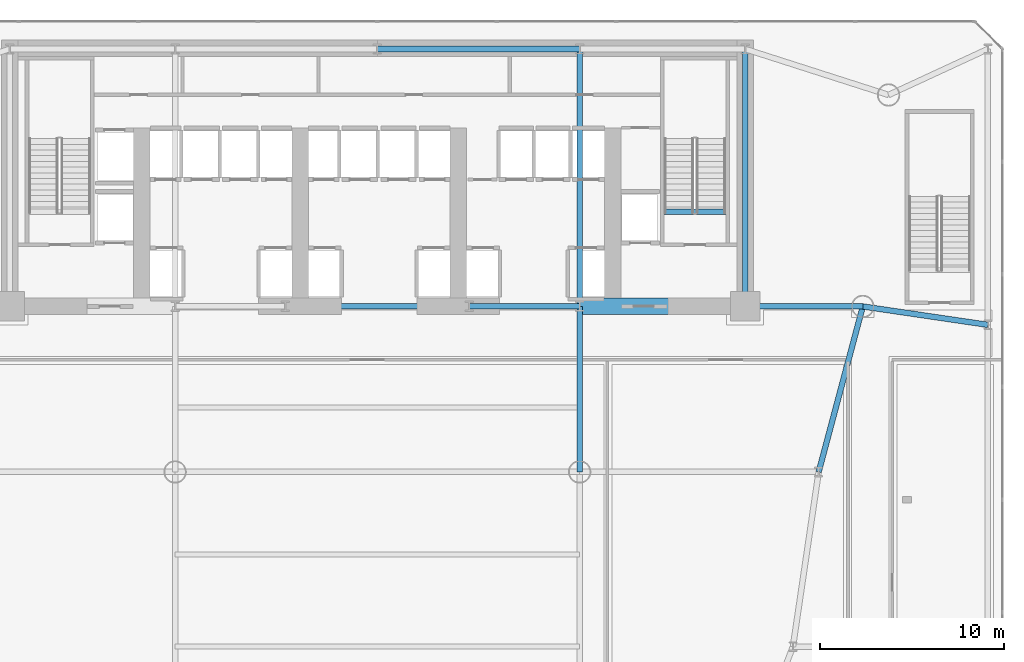
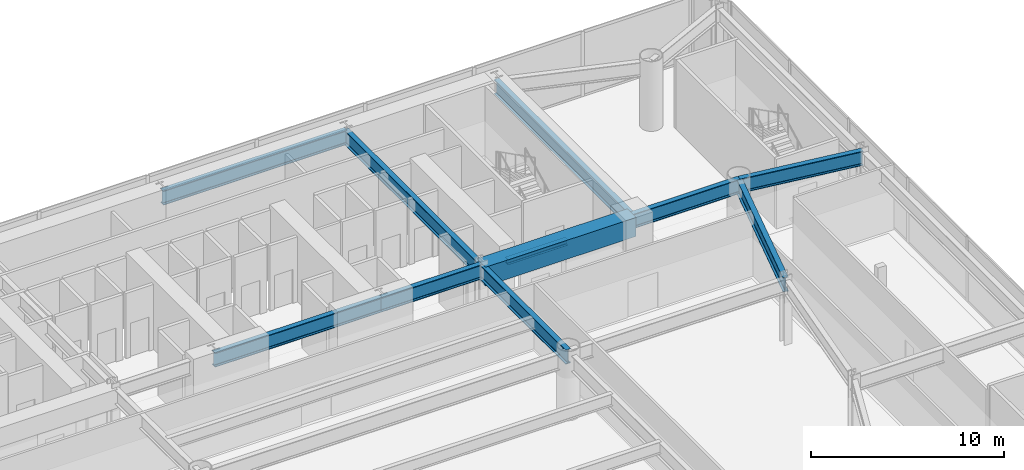
# One storey, part 8 of 24: 11 beams.
"""IFC4 building model written with IfcOpenShell, lengths in metres."""

import ifcopenshell
import ifcopenshell.guid

model = None  # the IFC model being written
_history = None  # IfcOwnerHistory: only IFC2X3 demands one
_inside = {}  # id of a spatial element -> (the spatial element, [elements in it])
_under = {}  # id of a project, library or spatial element -> (it, [spatial elements below it])
_declared = {}  # id of a project -> (the project, [libraries it declares])
_typed = {}  # id of a type object -> (the type object, [elements of that type])
_made_of = {}  # id of a material, layer set ... -> (it, [elements and type objects made of it])


def new_model(schema):
    """Start an empty IFC model of exactly this schema.

    Asked for "IFC4X3", IfcOpenShell would pick the latest addendum, in which some entities
    have other attributes; the version numbers below select the first issue.
    IFC2X3 requires an IfcOwnerHistory on every rooted entity: one is made here for all.
    """
    global model, _history
    if schema == "IFC4X3":
        model = ifcopenshell.file(schema_version=(4, 3, 0, 0))
    else:
        model = ifcopenshell.file(schema=schema)
    _inside.clear()
    _under.clear()
    _declared.clear()
    _typed.clear()
    _made_of.clear()
    _history = None
    if model.schema == "IFC2X3":
        org = make("IfcOrganization", Name="unknown")
        user = make(
            "IfcPersonAndOrganization",
            ThePerson=make("IfcPerson", FamilyName="unknown"),
            TheOrganization=org,
        )
        app = make(
            "IfcApplication",
            ApplicationDeveloper=org,
            Version="unknown",
            ApplicationFullName="unknown",
            ApplicationIdentifier="unknown",
        )
        _history = make(
            "IfcOwnerHistory",
            OwningUser=user,
            OwningApplication=app,
            ChangeAction="ADDED",
            CreationDate=0,
        )
    return model


def make(cls, **values):
    """One entity of the class cls with the attributes given. An attribute that is None is left unset."""
    return model.create_entity(
        cls, **{name: value for name, value in values.items() if value is not None}
    )


def rooted(cls, **values):
    """An entity with a GlobalId (a new one), such as an element, a storey or a relation."""
    return make(cls, GlobalId=ifcopenshell.guid.new(), OwnerHistory=_history, **values)


def si_unit(unit_type, name, prefix=None):
    """IfcSIUnit, for example si_unit("LENGTHUNIT", "METRE", prefix="MILLI")."""
    return make("IfcSIUnit", UnitType=unit_type, Prefix=prefix, Name=name)


def assignment(units):
    """IfcUnitAssignment: the units of a project."""
    return None if units is None else make("IfcUnitAssignment", Units=units)


def point(xyz):
    """IfcCartesianPoint."""
    return None if xyz is None else make("IfcCartesianPoint", Coordinates=xyz)


def direction(xyz):
    """IfcDirection."""
    return None if xyz is None else make("IfcDirection", DirectionRatios=xyz)


def frame(location, z_axis=None, x_axis=None):
    """IfcAxis2Placement3D, a coordinate frame: its origin and axes. An axis left out is left unset."""
    return make(
        "IfcAxis2Placement3D",
        Location=point(location),
        Axis=direction(z_axis),
        RefDirection=direction(x_axis),
    )


def frame_2d(location, x_axis=None):
    """IfcAxis2Placement2D, a coordinate frame in the plane: its origin and x axis."""
    return make(
        "IfcAxis2Placement2D", Location=point(location), RefDirection=direction(x_axis)
    )


def origin():
    """The frame at (0, 0, 0) with its axes left unset."""
    return frame((0.0, 0.0, 0.0))


def origin_2d():
    """The frame at (0, 0) in the plane with its x axis left unset."""
    return frame_2d((0.0, 0.0))


def place(relative_to, where):
    """IfcLocalPlacement: puts the frame where relative to a parent placement (None: the world)."""
    return make(
        "IfcLocalPlacement", PlacementRelTo=relative_to, RelativePlacement=where
    )


def context(
    kind, dimensions, precision=None, world=None, true_north=None, identifier=None
):
    """IfcGeometricRepresentationContext, for example the 3D "Model" context."""
    return make(
        "IfcGeometricRepresentationContext",
        ContextIdentifier=identifier,
        ContextType=kind,
        CoordinateSpaceDimension=dimensions,
        Precision=precision,
        WorldCoordinateSystem=world,
        TrueNorth=true_north,
    )


def subcontext(parent, identifier, kind, view, scale=None):
    """IfcGeometricRepresentationSubContext, for example "Body" below "Model"."""
    return make(
        "IfcGeometricRepresentationSubContext",
        ContextIdentifier=identifier,
        ContextType=kind,
        ParentContext=parent,
        TargetScale=scale,
        TargetView=view,
    )


def project(units=None, contexts=None):
    """IfcProject with its units and contexts."""
    return rooted(
        "IfcProject",
        Name="project",
        RepresentationContexts=contexts,
        UnitsInContext=assignment(units),
    )


def spatial(cls, under=None, at=None, **own):
    """A site, building, storey or space (cls), placed at a placement, below another one or the project."""
    s = rooted(cls, ObjectPlacement=at, **own)
    if under is not None:
        _under.setdefault(under.id(), (under, []))[1].append(s)
    return s


def profile(cls, at=None, kind="AREA", **sizes):
    """A parametric profile (cls). Its sizes go by their IFC names, for example OverallWidth=200.0."""
    return make(cls, ProfileType=kind, Position=at, **sizes)


def rectangle(**sizes):
    """IfcRectangleProfileDef."""
    return profile("IfcRectangleProfileDef", **sizes)


def i_section(**sizes):
    """IfcIShapeProfileDef."""
    return profile("IfcIShapeProfileDef", **sizes)


def extrude(swept, where, along, depth):
    """IfcExtrudedAreaSolid: the profile swept, set in the frame where, extruded along a direction by depth."""
    return make(
        "IfcExtrudedAreaSolid",
        SweptArea=swept,
        Position=where,
        ExtrudedDirection=direction(along),
        Depth=depth,
    )


def shape(context_of_items, identifier, shape_type, items):
    """IfcShapeRepresentation: the items that make up one representation, for example the "Body"."""
    return make(
        "IfcShapeRepresentation",
        ContextOfItems=context_of_items,
        RepresentationIdentifier=identifier,
        RepresentationType=shape_type,
        Items=items,
    )


def source(mapping_origin, context_of_items, identifier, shape_type, items):
    """IfcRepresentationMap: a shape defined once, which mapped items show again and again."""
    return make(
        "IfcRepresentationMap",
        MappingOrigin=mapping_origin,
        MappedRepresentation=shape(context_of_items, identifier, shape_type, items),
    )


def transform(
    local_origin,
    x_axis=None,
    y_axis=None,
    z_axis=None,
    scale=None,
    scale2=None,
    scale3=None,
    uniform=True,
):
    """IfcCartesianTransformationOperator3D, or its non-uniform kind. x_axis, y_axis, z_axis: its Axis1, 2, 3."""
    if uniform:
        return make(
            "IfcCartesianTransformationOperator3D",
            Axis1=direction(x_axis),
            Axis2=direction(y_axis),
            LocalOrigin=point(local_origin),
            Scale=scale,
            Axis3=direction(z_axis),
        )
    return make(
        "IfcCartesianTransformationOperator3DnonUniform",
        Axis1=direction(x_axis),
        Axis2=direction(y_axis),
        LocalOrigin=point(local_origin),
        Scale=scale,
        Axis3=direction(z_axis),
        Scale2=scale2,
        Scale3=scale3,
    )


def mapped(mapping_source, mapping_target):
    """IfcMappedItem: shows the shape of a source again, moved by a transform."""
    return make(
        "IfcMappedItem", MappingSource=mapping_source, MappingTarget=mapping_target
    )


def material(Name=None, Category=None):
    """IfcMaterial."""
    return make("IfcMaterial", Name=Name, Category=Category)


def material_profile(
    of_material, cross_section, Name=None, Category=None, Priority=None
):
    """IfcMaterialProfile: a cross section and its material."""
    return make(
        "IfcMaterialProfile",
        Name=Name,
        Material=of_material,
        Profile=cross_section,
        Priority=Priority,
        Category=Category,
    )


def profile_set(profiles, Name=None, composite=None):
    """IfcMaterialProfileSet."""
    return make(
        "IfcMaterialProfileSet",
        Name=Name,
        MaterialProfiles=profiles,
        CompositeProfile=composite,
    )


def made_of(thing, what):
    """Note that an element or type object is made of a material, layer set ...; save() writes the relation."""
    if what is not None:
        _made_of.setdefault(what.id(), (what, []))[1].append(thing)
    return thing


def type_object(cls, material=None, **own):
    """A type object (cls), such as IfcWallType, which elements share."""
    return made_of(rooted(cls, **own), material)


def element(
    cls,
    number,
    at=None,
    inside=None,
    cuts=None,
    type_object=None,
    material=None,
    context=None,
    identifier="Body",
    shape_type=None,
    held_by="IfcProductDefinitionShape",
    body=None,
    shapes=None,
    **own,
):
    """One element of the class cls, such as IfcWall. Its Tag is "e" and its number.

    at: its placement. inside: the storey or other place that contains it. cuts: it is an
    opening in that element (IfcRelVoidsElement). A single representation is given by context,
    identifier, shape_type and body (its items); several are given by shapes. held_by: the class
    of the entity that holds the representations. save() writes the other relations.
    """
    e = rooted(cls, Tag="e%d" % number, ObjectPlacement=at, **own)
    if body is not None:
        shapes = [shape(context, identifier, shape_type, body)]
    if shapes is not None:
        e.Representation = make(held_by, Representations=shapes)
    if inside is not None:
        _inside.setdefault(inside.id(), (inside, []))[1].append(e)
    if cuts is not None:
        rooted(
            "IfcRelVoidsElement", RelatingBuildingElement=cuts, RelatedOpeningElement=e
        )
    if type_object is not None:
        _typed.setdefault(type_object.id(), (type_object, []))[1].append(e)
    return made_of(e, material)


def aggregate(whole, parts):
    """IfcRelAggregates: a whole, such as a stair, and the parts it consists of."""
    return rooted("IfcRelAggregates", RelatingObject=whole, RelatedObjects=parts)


def save(model, path):
    """Write the relations noted so far, then the file.

    IfcRelAggregates (storeys below a building ...), IfcRelContainedInSpatialStructure (elements
    in a storey), IfcRelDefinesByType, IfcRelAssociatesMaterial and IfcRelDeclares: one each for
    every whole, place, type object, material and project.
    """
    for whole, parts in _under.values():
        aggregate(whole, parts)
    for where, things in _inside.values():
        rooted(
            "IfcRelContainedInSpatialStructure",
            RelatedElements=things,
            RelatingStructure=where,
        )
    for kind, things in _typed.values():
        rooted("IfcRelDefinesByType", RelatedObjects=things, RelatingType=kind)
    for what, things in _made_of.values():
        rooted("IfcRelAssociatesMaterial", RelatedObjects=things, RelatingMaterial=what)
    for by, libraries in _declared.values():
        rooted("IfcRelDeclares", RelatingContext=by, RelatedDefinitions=libraries)
    model.write(path)


model = new_model("IFC4")

# Units and contexts
model_context = context("Model", 3, precision=1e-05, world=origin(), true_north=direction((0.0, 1.0)))
body_context = subcontext(model_context, "Body", "Model", "MODEL_VIEW")
ifc_project = project(units=[si_unit("LENGTHUNIT", "METRE"), si_unit("AREAUNIT", "SQUARE_METRE"), si_unit("VOLUMEUNIT", "CUBIC_METRE"), si_unit("PLANEANGLEUNIT", "RADIAN"), si_unit("MASSUNIT", "GRAM", prefix="KILO")], contexts=[model_context])

# Site, building, storey
site_placement = place(None, origin())
site = spatial("IfcSite", under=ifc_project, at=site_placement, CompositionType="ELEMENT")
building_placement = place(site_placement, origin())
building = spatial("IfcBuilding", under=site, at=building_placement, Name="Vaeldorn Concourse Tower", CompositionType="ELEMENT")
storey_placement = place(building_placement, frame((0.0, 0.0, 5.60009765625)))
storey = spatial("IfcBuildingStorey", under=building, at=storey_placement, Name="L01", CompositionType="ELEMENT", Elevation=5.60009765625)

# Beams
ifc_material_1 = material(Name="Concrete C60/75", Category="concrete")
ifc_material_profile_1 = material_profile(ifc_material_1, rectangle(XDim=0.89990234375, YDim=1.199951171875, at=origin_2d()), Name="RC 900x1200")
ifc_profile_set_1 = profile_set([ifc_material_profile_1], Name="Concrete C60/75")
beam_type_1 = type_object("IfcBeamType", Name="BM-CB-RC900", PredefinedType="BEAM", material=ifc_profile_set_1)
shared_shape_1 = source(origin(), body_context, "Body", "SweptSolid", [
    extrude(rectangle(XDim=0.89990234375, YDim=1.199951171875, at=origin_2d()), origin(), (0.0, 0.0, 1.0), 9.0),
])
beam_1_placement = place(storey_placement, frame((45.0, 36.5, 3.52001953125), z_axis=(1.0, 0.0, 0.0), x_axis=(0.0, 1.0, 0.0)))
element("IfcBeam", 1, at=beam_1_placement, inside=storey, type_object=beam_type_1, Name="Core Coupling Beam L01-2", PredefinedType="BEAM", context=body_context, shape_type="MappedRepresentation", body=[
    mapped(shared_shape_1, transform((0.0, 0.0, 0.0), scale=1.0)),
])
ifc_material_2 = material(Name="Steel S355", Category="steel")
ifc_material_profile_2 = material_profile(ifc_material_2, i_section(OverallWidth=0.300048828125, OverallDepth=0.340087890625, WebThickness=0.011962890625, FlangeThickness=0.021484375, FilletRadius=0.027099609375, at=origin_2d()), Name="HEB 340")
ifc_profile_set_2 = profile_set([ifc_material_profile_2], Name="Steel S355")
beam_type_2 = type_object("IfcBeamType", Name="BM-ST-TRIM", PredefinedType="BEAM", material=ifc_profile_set_2)
shared_shape_2 = source(origin(), body_context, "Body", "SweptSolid", [
    extrude(i_section(OverallWidth=0.300048828125, OverallDepth=0.340087890625, WebThickness=0.011962890625, FlangeThickness=0.021484375, FilletRadius=0.027099609375, at=origin_2d()), origin(), (0.0, 0.0, 1.0), 3.590087890625),
])
beam_2_placement = place(storey_placement, frame((49.47998046875, 41.639892578125, -0.4501953125), z_axis=(1.0, 0.0, 0.0), x_axis=(0.0, 1.0, 0.0)))
element("IfcBeam", 2, at=beam_2_placement, inside=storey, type_object=beam_type_2, Name="Stair Landing Trimmer Beam ST-2 L01", PredefinedType="BEAM", context=body_context, shape_type="MappedRepresentation", body=[
    mapped(shared_shape_2, transform((0.0, 0.0, 0.0), scale=1.0)),
])
ifc_material_profile_3 = material_profile(ifc_material_2, i_section(OverallWidth=0.302001953125, OverallDepth=0.909912109375, WebThickness=0.02099609375, FlangeThickness=0.0400390625, FilletRadius=0.030029296875, at=origin_2d()), Name="HEM 900")
ifc_profile_set_3 = profile_set([ifc_material_profile_3], Name="Steel S355")
beam_type_3 = type_object("IfcBeamType", Name="BM-PG-HEM900", PredefinedType="BEAM", material=ifc_profile_set_3)
shared_shape_3 = source(origin(), body_context, "Body", "SweptSolid", [
    extrude(i_section(OverallWidth=0.302001953125, OverallDepth=0.909912109375, WebThickness=0.02099609375, FlangeThickness=0.0400390625, FilletRadius=0.030029296875, at=origin_2d()), origin(), (0.0, 0.0, 1.0), 6.0),
])
beam_3_placement = place(storey_placement, frame((39.0, 36.5, 3.664794921875), z_axis=(1.0, 0.0, 0.0), x_axis=(0.0, 1.0, 0.0)))
element("IfcBeam", 3, at=beam_3_placement, inside=storey, type_object=beam_type_3, Name="Beam BM-L01-C-FC4-C-FC5", PredefinedType="BEAM", context=body_context, shape_type="MappedRepresentation", body=[
    mapped(shared_shape_3, transform((0.0, 0.0, 0.0), scale=1.0)),
])
shared_shape_4 = source(origin(), body_context, "Body", "SweptSolid", [
    extrude(i_section(OverallWidth=0.302001953125, OverallDepth=0.909912109375, WebThickness=0.02099609375, FlangeThickness=0.0400390625, FilletRadius=0.030029296875, at=origin_2d()), origin(), (0.0, 0.0, 1.0), 10.0),
])
beam_4_placement = place(storey_placement, frame((29.0, 36.5, 3.664794921875), z_axis=(1.0, 0.0, 0.0), x_axis=(0.0, 1.0, 0.0)))
element("IfcBeam", 4, at=beam_4_placement, inside=storey, type_object=beam_type_3, Name="Beam BM-L01-C-FC3-C-FC4", PredefinedType="BEAM", context=body_context, shape_type="MappedRepresentation", body=[
    mapped(shared_shape_4, transform((0.0, 0.0, 0.0), scale=1.0)),
])
shared_shape_5 = source(origin(), body_context, "Body", "SweptSolid", [
    extrude(i_section(OverallWidth=0.302001953125, OverallDepth=0.909912109375, WebThickness=0.02099609375, FlangeThickness=0.0400390625, FilletRadius=0.030029296875, at=origin_2d()), origin(), (0.0, 0.0, 1.0), 9.0),
])
beam_5_placement = place(storey_placement, frame((45.0, 27.5, 3.664794921875), z_axis=(0.0, 1.0, 0.0), x_axis=(-1.0, 0.0, 0.0)))
element("IfcBeam", 5, at=beam_5_placement, inside=storey, type_object=beam_type_3, Name="Beam BM-L01-C-TW4-C-FC5", PredefinedType="BEAM", context=body_context, shape_type="MappedRepresentation", body=[
    mapped(shared_shape_5, transform((0.0, 0.0, 0.0), scale=1.0)),
])
shared_shape_6 = source(origin(), body_context, "Body", "SweptSolid", [
    extrude(i_section(OverallWidth=0.302001953125, OverallDepth=0.909912109375, WebThickness=0.02099609375, FlangeThickness=0.0400390625, FilletRadius=0.030029296875, at=origin_2d()), origin(), (0.0, 0.0, 1.0), 11.0),
])
beam_6_placement = place(storey_placement, frame((34.0, 50.5, 3.664794921875), z_axis=(1.0, 0.0, 0.0), x_axis=(0.0, 1.0, 0.0)))
element("IfcBeam", 6, at=beam_6_placement, inside=storey, type_object=beam_type_3, Name="Beam BM-L01-C-HC3-C-HC4", PredefinedType="BEAM", context=body_context, shape_type="MappedRepresentation", body=[
    mapped(shared_shape_6, transform((0.0, 0.0, 0.0), scale=1.0)),
])
shared_shape_7 = source(origin(), body_context, "Body", "SweptSolid", [
    extrude(i_section(OverallWidth=0.302001953125, OverallDepth=0.909912109375, WebThickness=0.02099609375, FlangeThickness=0.0400390625, FilletRadius=0.030029296875, at=origin_2d()), origin(), (0.0, 0.0, 1.0), 14.0),
])
for number, where, z_axis, x_axis, name in (
    (7, (45.0, 36.5, 3.664794921875), (0.0, 1.0, 0.0), (-1.0, 0.0, 0.0), "Beam BM-L01-C-FC5-C-HC4"),
    (8, (54.0, 36.5, 3.664794921875), (0.0, 1.0, 0.0), (-1.0, 0.0, 0.0), "Beam BM-L01-C-FC6-C-HC5"),
):
    element("IfcBeam", number, at=place(storey_placement, frame(where, z_axis=z_axis, x_axis=x_axis)), inside=storey, type_object=beam_type_3, Name=name, PredefinedType="BEAM", context=body_context, shape_type="MappedRepresentation", body=[
        mapped(shared_shape_7, transform((0.0, 0.0, 0.0), scale=1.0)),
    ])
shared_shape_8 = source(origin(), body_context, "Body", "SweptSolid", [
    extrude(i_section(OverallWidth=0.302001953125, OverallDepth=0.909912109375, WebThickness=0.02099609375, FlangeThickness=0.0400390625, FilletRadius=0.030029296875, at=origin_2d()), origin(), (0.0, 0.0, 1.0), 6.873291015625),
])
beam_7_placement = place(storey_placement, frame((60.39990234375, 36.5, 3.664794921875), z_axis=(0.989359285749, -0.145492967882, 0.0), x_axis=(0.145492967882, 0.989359285749, 0.0)))
element("IfcBeam", 9, at=beam_7_placement, inside=storey, type_object=beam_type_3, Name="Beam BM-L01-C-NE2-C-PE3", PredefinedType="BEAM", context=body_context, shape_type="MappedRepresentation", body=[
    mapped(shared_shape_8, transform((0.0, 0.0, 0.0), scale=1.0)),
])
shared_shape_9 = source(origin(), body_context, "Body", "SweptSolid", [
    extrude(i_section(OverallWidth=0.302001953125, OverallDepth=0.909912109375, WebThickness=0.02099609375, FlangeThickness=0.0400390625, FilletRadius=0.030029296875, at=origin_2d()), origin(), (0.0, 0.0, 1.0), 6.39990234375),
])
beam_8_placement = place(storey_placement, frame((54.0, 36.5, 3.664794921875), z_axis=(1.0, 0.0, 0.0), x_axis=(0.0, 1.0, 0.0)))
element("IfcBeam", 10, at=beam_8_placement, inside=storey, type_object=beam_type_3, Name="Beam BM-L01-C-FC6-C-NE2", PredefinedType="BEAM", context=body_context, shape_type="MappedRepresentation", body=[
    mapped(shared_shape_9, transform((0.0, 0.0, 0.0), scale=1.0)),
])
shared_shape_10 = source(origin(), body_context, "Body", "SweptSolid", [
    extrude(i_section(OverallWidth=0.302001953125, OverallDepth=0.909912109375, WebThickness=0.02099609375, FlangeThickness=0.0400390625, FilletRadius=0.030029296875, at=origin_2d()), origin(), (0.0, 0.0, 1.0), 9.314453125),
])
beam_9_placement = place(storey_placement, frame((60.39990234375, 36.5, 3.664794921875), z_axis=(-0.257652862255, -0.966237549763, 0.0), x_axis=(0.966237549763, -0.257652862255, 0.0)))
element("IfcBeam", 11, at=beam_9_placement, inside=storey, type_object=beam_type_3, Name="Beam BM-L01-C-NE2-C-FLE1", PredefinedType="BEAM", context=body_context, shape_type="MappedRepresentation", body=[
    mapped(shared_shape_10, transform((0.0, 0.0, 0.0), scale=1.0)),
])

save(model, "model.ifc")
